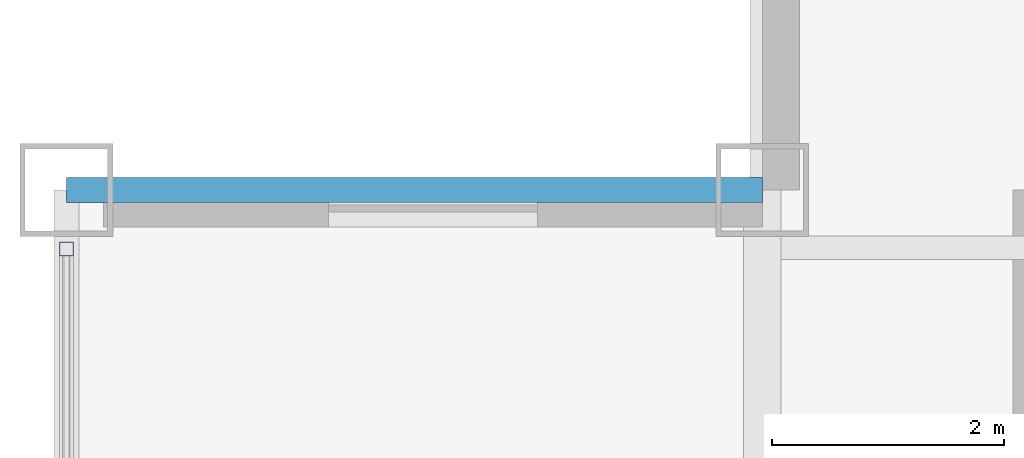
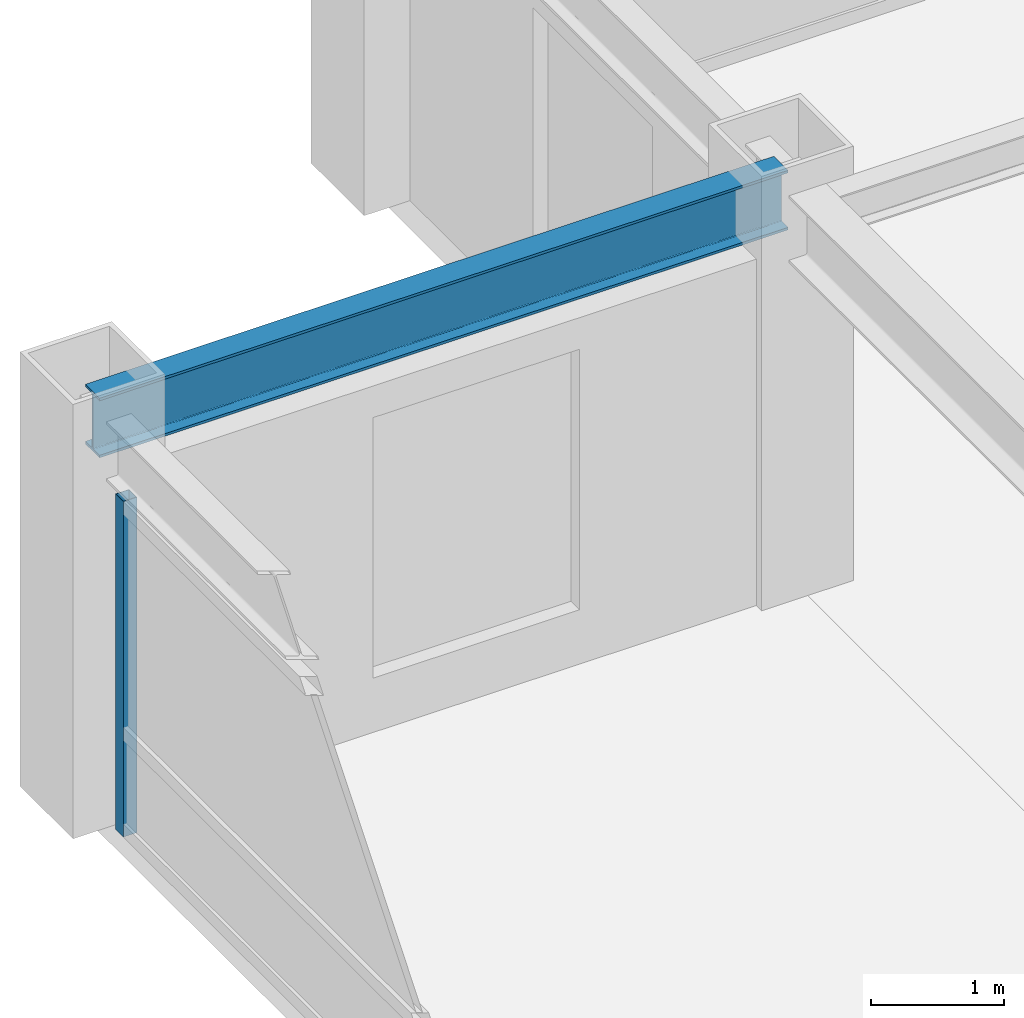
# One storey, part 17 of 29: 1 beam, 1 member, 1 element without a shape of its own.
"""IFC4 building model written with IfcOpenShell, lengths in metres."""

from ifc_helpers import new_model, si_unit, direction, frame, origin, origin_2d, place, context, subcontext, project, spatial, hollow_rectangle, i_section, extrude, source, transform, mapped, material, material_profile, profile_set, type_object, element, aggregate, save


model = new_model("IFC4")

# Units and contexts
model_context = context("Model", 3, precision=1e-05, world=origin(), true_north=direction((0.0, 1.0)))
body_context = subcontext(model_context, "Body", "Model", "MODEL_VIEW")
ifc_project = project(units=[si_unit("LENGTHUNIT", "METRE"), si_unit("AREAUNIT", "SQUARE_METRE"), si_unit("VOLUMEUNIT", "CUBIC_METRE"), si_unit("PLANEANGLEUNIT", "RADIAN"), si_unit("MASSUNIT", "GRAM", prefix="KILO")], contexts=[model_context])

# Site, building, storey
site_placement = place(None, origin())
site = spatial("IfcSite", under=ifc_project, at=site_placement, CompositionType="ELEMENT")
building_placement = place(site_placement, origin())
building = spatial("IfcBuilding", under=site, at=building_placement, Name="Khorayat Bourse Tower", CompositionType="ELEMENT")
storey_placement = place(building_placement, frame((0.0, 0.0, 350.300048828125)))
storey = spatial("IfcBuildingStorey", under=building, at=storey_placement, Name="L83", CompositionType="ELEMENT", Elevation=350.300048828125)

# Beam
ifc_material_1 = material(Name="Steel ASTM A992 Grade 50", Category="steel")
ifc_material_profile_1 = material_profile(ifc_material_1, i_section(OverallWidth=0.214111328125, OverallDepth=0.549072265625, WebThickness=0.0146484375, FlangeThickness=0.023681640625, FilletRadius=0.013916015625, at=origin_2d()), Name="W530X138")
ifc_profile_set_1 = profile_set([ifc_material_profile_1], Name="Steel ASTM A992 Grade 50")
beam_type = type_object("IfcBeamType", Name="BM-SPAN-530", PredefinedType="SPANDREL", material=ifc_profile_set_1)
shared_shape_1 = source(origin(), body_context, "Body", "SweptSolid", [
    extrude(i_section(OverallWidth=0.214111328125, OverallDepth=0.549072265625, WebThickness=0.0146484375, FlangeThickness=0.023681640625, FilletRadius=0.013916015625, at=origin_2d()), origin(), (0.0, 0.0, 1.0), 6.0),
])
beam_placement = place(storey_placement, frame((-26.0, 20.0, 3.46533203125), z_axis=(1.0, 0.0, 0.0), x_axis=(0.0, 1.0, 0.0)))
element("IfcBeam", 1, at=beam_placement, inside=storey, type_object=beam_type, Name="L83 BM-SPAN-530 BM-L83-SPN-044", PredefinedType="SPANDREL", context=body_context, shape_type="MappedRepresentation", body=[
    mapped(shared_shape_1, transform((0.0, 0.0, 0.0), scale=1.0)),
])

# Curtain wall, member
ifc_material_2 = material(Name="Aluminium EN AW-6063 T6", Category="aluminium")
curtain_wall_type = type_object("IfcCurtainWallType", Name="CW-SYS-06", PredefinedType="NOTDEFINED", material=ifc_material_2)
curtain_wall_placement = place(storey_placement, origin())
curtain_wall = element("IfcCurtainWall", 2, at=curtain_wall_placement, inside=storey, type_object=curtain_wall_type, Name="L83 Curtain Wall CW-L83-W1", PredefinedType="NOTDEFINED")
ifc_material_profile_2 = material_profile(ifc_material_2, hollow_rectangle(XDim=0.1201171875, YDim=0.1201171875, WallThickness=0.0048828125, at=origin_2d()), Name="ALU 120x120x5")
ifc_profile_set_2 = profile_set([ifc_material_profile_2], Name="Aluminium EN AW-6063 T6")
member_type = type_object("IfcMemberType", Name="CWM-VERT-120", PredefinedType="MULLION", material=ifc_profile_set_2)
shared_shape_2 = source(origin(), body_context, "Body", "SweptSolid", [
    extrude(hollow_rectangle(XDim=0.1201171875, YDim=0.1201171875, WallThickness=0.0048828125, at=origin_2d()), origin(), (0.0, 0.0, 1.0), 3.08984375),
])
member_placement = place(storey_placement, frame((-26.0, 19.489990234375, 0.0), z_axis=(0.0, 0.0, 1.0), x_axis=(1.0, 0.0, 0.0)))
member = element("IfcMember", 3, at=member_placement, type_object=member_type, Name="CW-L83-W1 Vertical Mullion 1", PredefinedType="MULLION", context=body_context, shape_type="MappedRepresentation", body=[
    mapped(shared_shape_2, transform((0.0, 0.0, 0.0), scale=1.0)),
])
aggregate(curtain_wall, [member])

save(model, "model.ifc")
